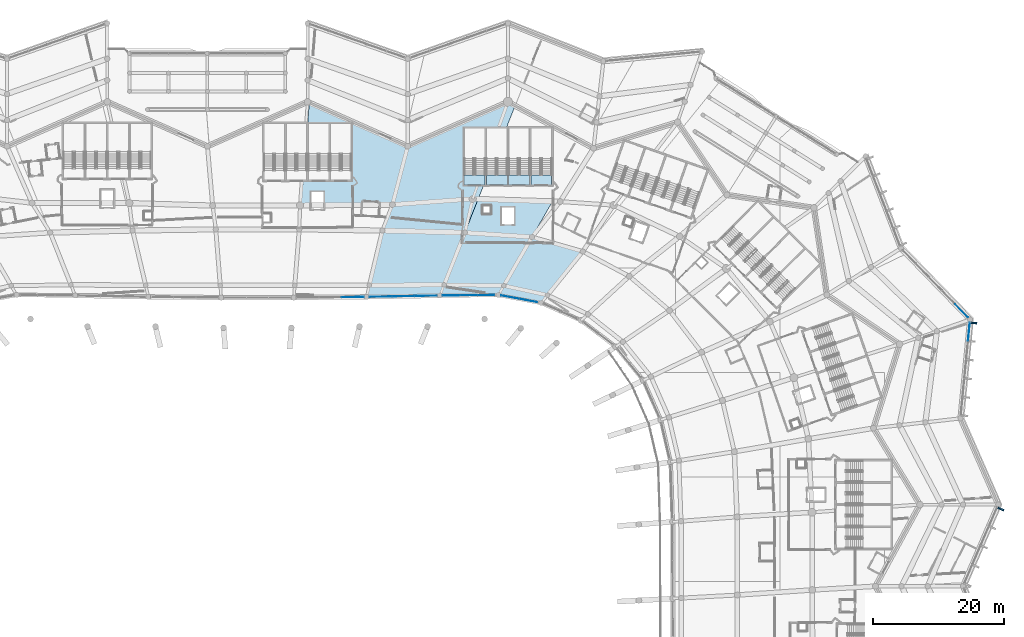
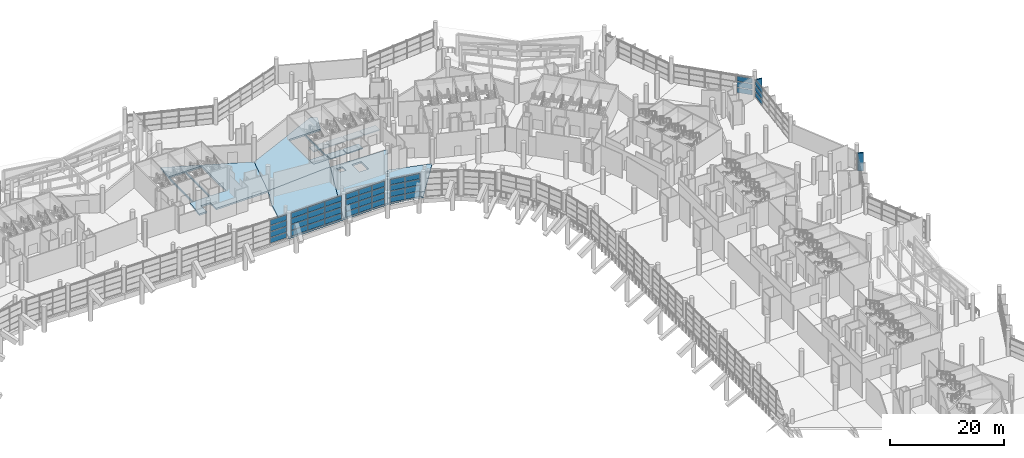
# One storey, part 152 of 271: 44 plates, 13 slabs, 10 elements without a shape of their own.
"""IFC4 building model written with IfcOpenShell, lengths in metres."""

from ifc_helpers import new_model, si_unit, direction, frame, origin, origin_2d, place, context, subcontext, project, spatial, polyline, rectangle, outline, extrude, material, layer, layer_set, type_object, element, aggregate, save


model = new_model("IFC4")

# Units and contexts
model_context = context("Model", 3, precision=1e-05, world=origin(), true_north=direction((0.0, 1.0)))
body_context = subcontext(model_context, "Body", "Model", "MODEL_VIEW")
ifc_project = project(units=[si_unit("LENGTHUNIT", "METRE"), si_unit("AREAUNIT", "SQUARE_METRE"), si_unit("VOLUMEUNIT", "CUBIC_METRE"), si_unit("PLANEANGLEUNIT", "RADIAN"), si_unit("MASSUNIT", "GRAM", prefix="KILO")], contexts=[model_context])

# Site, building, storey
site_placement = place(None, origin())
site = spatial("IfcSite", under=ifc_project, at=site_placement, CompositionType="ELEMENT")
building_placement = place(site_placement, origin())
building = spatial("IfcBuilding", under=site, at=building_placement, Name="Meseta Stadium", CompositionType="ELEMENT")
storey_placement = place(building_placement, frame((0.0, 0.0, 6.5)))
storey = spatial("IfcBuildingStorey", under=building, at=storey_placement, Name="L01", CompositionType="ELEMENT", Elevation=6.5)

# Curtain wall, plates
ifc_material_1 = material(Name="Aluminium", Category="aluminium")
ifc_layer_1 = layer(ifc_material_1, 0.199951171875)
ifc_layer_set_1 = layer_set([ifc_layer_1], Name="Club glazing curtain wall")
curtain_wall_type_1 = type_object("IfcCurtainWallType", Name="Club glazing curtain wall", PredefinedType="NOTDEFINED", material=ifc_layer_set_1)
curtain_wall_1_placement = place(storey_placement, origin())
curtain_wall_1 = element("IfcCurtainWall", 1, at=curtain_wall_1_placement, inside=storey, type_object=curtain_wall_type_1, Name="Club glazing bay 14", PredefinedType="NOTDEFINED")
ifc_material_2 = material(Name="Glass", Category="glass")
ifc_layer_2 = layer(ifc_material_2, 0.028076171875)
ifc_layer_set_2 = layer_set([ifc_layer_2], Name="CW glass panel 28")
plate_type_1 = type_object("IfcPlateType", Name="CW glass panel 28", PredefinedType="CURTAIN_PANEL", material=ifc_layer_set_2)
plate_1_placement = place(storey_placement, frame((41.476318359375, 74.98046875, 0.1201171875), z_axis=(0.0, 0.0, 1.0), x_axis=(-0.983187225977, 0.182600324962, 0.0)))
plate_1 = element("IfcPlate", 2, at=plate_1_placement, type_object=plate_type_1, Name="CWC panel 1.1", PredefinedType="CURTAIN_PANEL", context=body_context, shape_type="SweptSolid", body=[
    extrude(rectangle(XDim=2.76611328125, YDim=0.028076171875, at=origin_2d()), origin(), (0.0, 0.0, 1.0), 1.107421875),
])
plate_2_placement = place(storey_placement, frame((41.476318359375, 74.98046875, 1.347412109375), z_axis=(0.0, 0.0, 1.0), x_axis=(-0.983187225977, 0.182600324962, 0.0)))
plate_2 = element("IfcPlate", 3, at=plate_2_placement, type_object=plate_type_1, Name="CWC panel 1.2", PredefinedType="CURTAIN_PANEL", context=body_context, shape_type="SweptSolid", body=[
    extrude(rectangle(XDim=2.76611328125, YDim=0.028076171875, at=origin_2d()), origin(), (0.0, 0.0, 1.0), 1.16748046875),
])
plate_3_placement = place(storey_placement, frame((41.476318359375, 74.98046875, 2.635009765625), z_axis=(0.0, 0.0, 1.0), x_axis=(-0.983187225977, 0.182600324962, 0.0)))
plate_3 = element("IfcPlate", 4, at=plate_3_placement, type_object=plate_type_1, Name="CWC panel 1.3", PredefinedType="CURTAIN_PANEL", context=body_context, shape_type="SweptSolid", body=[
    extrude(rectangle(XDim=2.76611328125, YDim=0.028076171875, at=origin_2d()), origin(), (0.0, 0.0, 1.0), 1.16748046875),
])
plate_4_placement = place(storey_placement, frame((41.476318359375, 74.98046875, 3.922607421875), z_axis=(0.0, 0.0, 1.0), x_axis=(-0.983187225977, 0.182600324962, 0.0)))
plate_4 = element("IfcPlate", 5, at=plate_4_placement, type_object=plate_type_1, Name="CWC panel 1.4", PredefinedType="CURTAIN_PANEL", context=body_context, shape_type="SweptSolid", body=[
    extrude(rectangle(XDim=2.76611328125, YDim=0.028076171875, at=origin_2d()), origin(), (0.0, 0.0, 1.0), 1.107421875),
])
plate_5_placement = place(storey_placement, frame((38.69775390625, 75.496337890625, 0.1201171875), z_axis=(0.0, 0.0, 1.0), x_axis=(-0.983187225977, 0.182600324962, 0.0)))
plate_5 = element("IfcPlate", 6, at=plate_5_placement, type_object=plate_type_1, Name="CWC panel 2.1", PredefinedType="CURTAIN_PANEL", context=body_context, shape_type="SweptSolid", body=[
    extrude(rectangle(XDim=2.76611328125, YDim=0.028076171875, at=origin_2d()), origin(), (0.0, 0.0, 1.0), 1.107421875),
])
plate_6_placement = place(storey_placement, frame((38.69775390625, 75.496337890625, 1.347412109375), z_axis=(0.0, 0.0, 1.0), x_axis=(-0.983187225977, 0.182600324962, 0.0)))
plate_6 = element("IfcPlate", 7, at=plate_6_placement, type_object=plate_type_1, Name="CWC panel 2.2", PredefinedType="CURTAIN_PANEL", context=body_context, shape_type="SweptSolid", body=[
    extrude(rectangle(XDim=2.76611328125, YDim=0.028076171875, at=origin_2d()), origin(), (0.0, 0.0, 1.0), 1.16748046875),
])
plate_7_placement = place(storey_placement, frame((38.69775390625, 75.496337890625, 2.635009765625), z_axis=(0.0, 0.0, 1.0), x_axis=(-0.983187225977, 0.182600324962, 0.0)))
plate_7 = element("IfcPlate", 8, at=plate_7_placement, type_object=plate_type_1, Name="CWC panel 2.3", PredefinedType="CURTAIN_PANEL", context=body_context, shape_type="SweptSolid", body=[
    extrude(rectangle(XDim=2.76611328125, YDim=0.028076171875, at=origin_2d()), origin(), (0.0, 0.0, 1.0), 1.16748046875),
])
plate_8_placement = place(storey_placement, frame((38.69775390625, 75.496337890625, 3.922607421875), z_axis=(0.0, 0.0, 1.0), x_axis=(-0.983187225977, 0.182600324962, 0.0)))
plate_8 = element("IfcPlate", 9, at=plate_8_placement, type_object=plate_type_1, Name="CWC panel 2.4", PredefinedType="CURTAIN_PANEL", context=body_context, shape_type="SweptSolid", body=[
    extrude(rectangle(XDim=2.76611328125, YDim=0.028076171875, at=origin_2d()), origin(), (0.0, 0.0, 1.0), 1.107421875),
])
aggregate(curtain_wall_1, [plate_1, plate_2, plate_3, plate_4, plate_5, plate_6, plate_7, plate_8])

curtain_wall_2_placement = place(storey_placement, origin())
curtain_wall_2 = element("IfcCurtainWall", 10, at=curtain_wall_2_placement, inside=storey, type_object=curtain_wall_type_1, Name="Club glazing bay 15", PredefinedType="NOTDEFINED")
plate_9_placement = place(storey_placement, frame((34.977783203125, 75.812255859375, 0.1201171875), z_axis=(0.0, 0.0, 1.0), x_axis=(-0.999941218201, -0.010842515481, 0.0)))
plate_9 = element("IfcPlate", 11, at=plate_9_placement, type_object=plate_type_1, Name="CWC panel 1.1", PredefinedType="CURTAIN_PANEL", context=body_context, shape_type="SweptSolid", body=[
    extrude(rectangle(XDim=2.5830078125, YDim=0.028076171875, at=origin_2d()), origin(), (0.0, 0.0, 1.0), 1.107421875),
])
plate_10_placement = place(storey_placement, frame((34.977783203125, 75.812255859375, 1.347412109375), z_axis=(0.0, 0.0, 1.0), x_axis=(-0.999941218201, -0.010842515481, 0.0)))
plate_10 = element("IfcPlate", 12, at=plate_10_placement, type_object=plate_type_1, Name="CWC panel 1.2", PredefinedType="CURTAIN_PANEL", context=body_context, shape_type="SweptSolid", body=[
    extrude(rectangle(XDim=2.5830078125, YDim=0.028076171875, at=origin_2d()), origin(), (0.0, 0.0, 1.0), 1.16748046875),
])
plate_11_placement = place(storey_placement, frame((34.977783203125, 75.812255859375, 2.635009765625), z_axis=(0.0, 0.0, 1.0), x_axis=(-0.999941218201, -0.010842515481, 0.0)))
plate_11 = element("IfcPlate", 13, at=plate_11_placement, type_object=plate_type_1, Name="CWC panel 1.3", PredefinedType="CURTAIN_PANEL", context=body_context, shape_type="SweptSolid", body=[
    extrude(rectangle(XDim=2.5830078125, YDim=0.028076171875, at=origin_2d()), origin(), (0.0, 0.0, 1.0), 1.16748046875),
])
plate_12_placement = place(storey_placement, frame((34.977783203125, 75.812255859375, 3.922607421875), z_axis=(0.0, 0.0, 1.0), x_axis=(-0.999941218201, -0.010842515481, 0.0)))
plate_12 = element("IfcPlate", 14, at=plate_12_placement, type_object=plate_type_1, Name="CWC panel 1.4", PredefinedType="CURTAIN_PANEL", context=body_context, shape_type="SweptSolid", body=[
    extrude(rectangle(XDim=2.5830078125, YDim=0.028076171875, at=origin_2d()), origin(), (0.0, 0.0, 1.0), 1.107421875),
])
plate_13_placement = place(storey_placement, frame((32.320068359375, 75.783447265625, 0.1201171875), z_axis=(0.0, 0.0, 1.0), x_axis=(-0.999941218201, -0.010842515481, 0.0)))
plate_13 = element("IfcPlate", 15, at=plate_13_placement, type_object=plate_type_1, Name="CWC panel 2.1", PredefinedType="CURTAIN_PANEL", context=body_context, shape_type="SweptSolid", body=[
    extrude(rectangle(XDim=2.613037109375, YDim=0.028076171875, at=origin_2d()), origin(), (0.0, 0.0, 1.0), 1.107421875),
])
plate_14_placement = place(storey_placement, frame((32.320068359375, 75.783447265625, 1.347412109375), z_axis=(0.0, 0.0, 1.0), x_axis=(-0.999941218201, -0.010842515481, 0.0)))
plate_14 = element("IfcPlate", 16, at=plate_14_placement, type_object=plate_type_1, Name="CWC panel 2.2", PredefinedType="CURTAIN_PANEL", context=body_context, shape_type="SweptSolid", body=[
    extrude(rectangle(XDim=2.613037109375, YDim=0.028076171875, at=origin_2d()), origin(), (0.0, 0.0, 1.0), 1.16748046875),
])
plate_15_placement = place(storey_placement, frame((32.320068359375, 75.783447265625, 2.635009765625), z_axis=(0.0, 0.0, 1.0), x_axis=(-0.999941218201, -0.010842515481, 0.0)))
plate_15 = element("IfcPlate", 17, at=plate_15_placement, type_object=plate_type_1, Name="CWC panel 2.3", PredefinedType="CURTAIN_PANEL", context=body_context, shape_type="SweptSolid", body=[
    extrude(rectangle(XDim=2.613037109375, YDim=0.028076171875, at=origin_2d()), origin(), (0.0, 0.0, 1.0), 1.16748046875),
])
plate_16_placement = place(storey_placement, frame((32.320068359375, 75.783447265625, 3.922607421875), z_axis=(0.0, 0.0, 1.0), x_axis=(-0.999941218201, -0.010842515481, 0.0)))
plate_16 = element("IfcPlate", 18, at=plate_16_placement, type_object=plate_type_1, Name="CWC panel 2.4", PredefinedType="CURTAIN_PANEL", context=body_context, shape_type="SweptSolid", body=[
    extrude(rectangle(XDim=2.613037109375, YDim=0.028076171875, at=origin_2d()), origin(), (0.0, 0.0, 1.0), 1.107421875),
])
plate_17_placement = place(storey_placement, frame((29.662109375, 75.754638671875, 0.1201171875), z_axis=(0.0, 0.0, 1.0), x_axis=(-0.999941218201, -0.010842515481, 0.0)))
plate_17 = element("IfcPlate", 19, at=plate_17_placement, type_object=plate_type_1, Name="CWC panel 3.1", PredefinedType="CURTAIN_PANEL", context=body_context, shape_type="SweptSolid", body=[
    extrude(rectangle(XDim=2.5830078125, YDim=0.028076171875, at=origin_2d()), origin(), (0.0, 0.0, 1.0), 1.107421875),
])
plate_18_placement = place(storey_placement, frame((29.662109375, 75.754638671875, 1.347412109375), z_axis=(0.0, 0.0, 1.0), x_axis=(-0.999941218201, -0.010842515481, 0.0)))
plate_18 = element("IfcPlate", 20, at=plate_18_placement, type_object=plate_type_1, Name="CWC panel 3.2", PredefinedType="CURTAIN_PANEL", context=body_context, shape_type="SweptSolid", body=[
    extrude(rectangle(XDim=2.5830078125, YDim=0.028076171875, at=origin_2d()), origin(), (0.0, 0.0, 1.0), 1.16748046875),
])
plate_19_placement = place(storey_placement, frame((29.662109375, 75.754638671875, 2.635009765625), z_axis=(0.0, 0.0, 1.0), x_axis=(-0.999941218201, -0.010842515481, 0.0)))
plate_19 = element("IfcPlate", 21, at=plate_19_placement, type_object=plate_type_1, Name="CWC panel 3.3", PredefinedType="CURTAIN_PANEL", context=body_context, shape_type="SweptSolid", body=[
    extrude(rectangle(XDim=2.5830078125, YDim=0.028076171875, at=origin_2d()), origin(), (0.0, 0.0, 1.0), 1.16748046875),
])
plate_20_placement = place(storey_placement, frame((29.662109375, 75.754638671875, 3.922607421875), z_axis=(0.0, 0.0, 1.0), x_axis=(-0.999941218201, -0.010842515481, 0.0)))
plate_20 = element("IfcPlate", 22, at=plate_20_placement, type_object=plate_type_1, Name="CWC panel 3.4", PredefinedType="CURTAIN_PANEL", context=body_context, shape_type="SweptSolid", body=[
    extrude(rectangle(XDim=2.5830078125, YDim=0.028076171875, at=origin_2d()), origin(), (0.0, 0.0, 1.0), 1.107421875),
])
aggregate(curtain_wall_2, [plate_9, plate_10, plate_11, plate_12, plate_13, plate_14, plate_15, plate_16, plate_17, plate_18, plate_19, plate_20])

curtain_wall_3_placement = place(storey_placement, origin())
curtain_wall_3 = element("IfcCurtainWall", 23, at=curtain_wall_3_placement, inside=storey, type_object=curtain_wall_type_1, Name="Club glazing bay 16", PredefinedType="NOTDEFINED")
plate_21_placement = place(storey_placement, frame((25.7607421875, 75.696044921875, 0.1201171875), z_axis=(0.0, 0.0, 1.0), x_axis=(-0.99983100259, -0.018383858671, 0.0)))
plate_21 = element("IfcPlate", 24, at=plate_21_placement, type_object=plate_type_1, Name="CWC panel 1.1", PredefinedType="CURTAIN_PANEL", context=body_context, shape_type="SweptSolid", body=[
    extrude(rectangle(XDim=3.382080078125, YDim=0.028076171875, at=origin_2d()), origin(), (0.0, 0.0, 1.0), 1.107421875),
])
plate_22_placement = place(storey_placement, frame((25.7607421875, 75.696044921875, 1.347412109375), z_axis=(0.0, 0.0, 1.0), x_axis=(-0.99983100259, -0.018383858671, 0.0)))
plate_22 = element("IfcPlate", 25, at=plate_22_placement, type_object=plate_type_1, Name="CWC panel 1.2", PredefinedType="CURTAIN_PANEL", context=body_context, shape_type="SweptSolid", body=[
    extrude(rectangle(XDim=3.382080078125, YDim=0.028076171875, at=origin_2d()), origin(), (0.0, 0.0, 1.0), 1.16748046875),
])
plate_23_placement = place(storey_placement, frame((25.7607421875, 75.696044921875, 2.635009765625), z_axis=(0.0, 0.0, 1.0), x_axis=(-0.99983100259, -0.018383858671, 0.0)))
plate_23 = element("IfcPlate", 26, at=plate_23_placement, type_object=plate_type_1, Name="CWC panel 1.3", PredefinedType="CURTAIN_PANEL", context=body_context, shape_type="SweptSolid", body=[
    extrude(rectangle(XDim=3.382080078125, YDim=0.028076171875, at=origin_2d()), origin(), (0.0, 0.0, 1.0), 1.16748046875),
])
plate_24_placement = place(storey_placement, frame((25.7607421875, 75.696044921875, 3.922607421875), z_axis=(0.0, 0.0, 1.0), x_axis=(-0.99983100259, -0.018383858671, 0.0)))
plate_24 = element("IfcPlate", 27, at=plate_24_placement, type_object=plate_type_1, Name="CWC panel 1.4", PredefinedType="CURTAIN_PANEL", context=body_context, shape_type="SweptSolid", body=[
    extrude(rectangle(XDim=3.382080078125, YDim=0.028076171875, at=origin_2d()), origin(), (0.0, 0.0, 1.0), 1.107421875),
])
plate_25_placement = place(storey_placement, frame((22.30419921875, 75.632568359375, 0.1201171875), z_axis=(0.0, 0.0, 1.0), x_axis=(-0.99983100259, -0.018383858671, 0.0)))
plate_25 = element("IfcPlate", 28, at=plate_25_placement, type_object=plate_type_1, Name="CWC panel 2.1", PredefinedType="CURTAIN_PANEL", context=body_context, shape_type="SweptSolid", body=[
    extrude(rectangle(XDim=3.411865234375, YDim=0.028076171875, at=origin_2d()), origin(), (0.0, 0.0, 1.0), 1.107421875),
])
plate_26_placement = place(storey_placement, frame((22.30419921875, 75.632568359375, 1.347412109375), z_axis=(0.0, 0.0, 1.0), x_axis=(-0.99983100259, -0.018383858671, 0.0)))
plate_26 = element("IfcPlate", 29, at=plate_26_placement, type_object=plate_type_1, Name="CWC panel 2.2", PredefinedType="CURTAIN_PANEL", context=body_context, shape_type="SweptSolid", body=[
    extrude(rectangle(XDim=3.411865234375, YDim=0.028076171875, at=origin_2d()), origin(), (0.0, 0.0, 1.0), 1.16748046875),
])
plate_27_placement = place(storey_placement, frame((22.30419921875, 75.632568359375, 2.635009765625), z_axis=(0.0, 0.0, 1.0), x_axis=(-0.99983100259, -0.018383858671, 0.0)))
plate_27 = element("IfcPlate", 30, at=plate_27_placement, type_object=plate_type_1, Name="CWC panel 2.3", PredefinedType="CURTAIN_PANEL", context=body_context, shape_type="SweptSolid", body=[
    extrude(rectangle(XDim=3.411865234375, YDim=0.028076171875, at=origin_2d()), origin(), (0.0, 0.0, 1.0), 1.16748046875),
])
plate_28_placement = place(storey_placement, frame((22.30419921875, 75.632568359375, 3.922607421875), z_axis=(0.0, 0.0, 1.0), x_axis=(-0.99983100259, -0.018383858671, 0.0)))
plate_28 = element("IfcPlate", 31, at=plate_28_placement, type_object=plate_type_1, Name="CWC panel 2.4", PredefinedType="CURTAIN_PANEL", context=body_context, shape_type="SweptSolid", body=[
    extrude(rectangle(XDim=3.411865234375, YDim=0.028076171875, at=origin_2d()), origin(), (0.0, 0.0, 1.0), 1.107421875),
])
plate_29_placement = place(storey_placement, frame((18.847900390625, 75.569091796875, 0.1201171875), z_axis=(0.0, 0.0, 1.0), x_axis=(-0.99983100259, -0.018383858671, 0.0)))
plate_29 = element("IfcPlate", 32, at=plate_29_placement, type_object=plate_type_1, Name="CWC panel 3.1", PredefinedType="CURTAIN_PANEL", context=body_context, shape_type="SweptSolid", body=[
    extrude(rectangle(XDim=3.382080078125, YDim=0.028076171875, at=origin_2d()), origin(), (0.0, 0.0, 1.0), 1.107421875),
])
plate_30_placement = place(storey_placement, frame((18.847900390625, 75.569091796875, 1.347412109375), z_axis=(0.0, 0.0, 1.0), x_axis=(-0.99983100259, -0.018383858671, 0.0)))
plate_30 = element("IfcPlate", 33, at=plate_30_placement, type_object=plate_type_1, Name="CWC panel 3.2", PredefinedType="CURTAIN_PANEL", context=body_context, shape_type="SweptSolid", body=[
    extrude(rectangle(XDim=3.382080078125, YDim=0.028076171875, at=origin_2d()), origin(), (0.0, 0.0, 1.0), 1.16748046875),
])
plate_31_placement = place(storey_placement, frame((18.847900390625, 75.569091796875, 2.635009765625), z_axis=(0.0, 0.0, 1.0), x_axis=(-0.99983100259, -0.018383858671, 0.0)))
plate_31 = element("IfcPlate", 34, at=plate_31_placement, type_object=plate_type_1, Name="CWC panel 3.3", PredefinedType="CURTAIN_PANEL", context=body_context, shape_type="SweptSolid", body=[
    extrude(rectangle(XDim=3.382080078125, YDim=0.028076171875, at=origin_2d()), origin(), (0.0, 0.0, 1.0), 1.16748046875),
])
plate_32_placement = place(storey_placement, frame((18.847900390625, 75.569091796875, 3.922607421875), z_axis=(0.0, 0.0, 1.0), x_axis=(-0.99983100259, -0.018383858671, 0.0)))
plate_32 = element("IfcPlate", 35, at=plate_32_placement, type_object=plate_type_1, Name="CWC panel 3.4", PredefinedType="CURTAIN_PANEL", context=body_context, shape_type="SweptSolid", body=[
    extrude(rectangle(XDim=3.382080078125, YDim=0.028076171875, at=origin_2d()), origin(), (0.0, 0.0, 1.0), 1.107421875),
])
aggregate(curtain_wall_3, [plate_21, plate_22, plate_23, plate_24, plate_25, plate_26, plate_27, plate_28, plate_29, plate_30, plate_31, plate_32])

curtain_wall_4_placement = place(storey_placement, origin())
curtain_wall_4 = element("IfcCurtainWall", 36, at=curtain_wall_4_placement, inside=storey, type_object=curtain_wall_type_1, Name="Club glazing bay 17", PredefinedType="NOTDEFINED")
plate_33_placement = place(storey_placement, frame((14.55908203125, 75.507568359375, 0.1201171875), z_axis=(0.0, 0.0, 1.0), x_axis=(-0.999947169774, -0.010278991253, 0.0)))
plate_33 = element("IfcPlate", 37, at=plate_33_placement, type_object=plate_type_1, Name="CWC panel 1.1", PredefinedType="CURTAIN_PANEL", context=body_context, shape_type="SweptSolid", body=[
    extrude(rectangle(XDim=3.357177734375, YDim=0.028076171875, at=origin_2d()), origin(), (0.0, 0.0, 1.0), 1.107421875),
])
plate_34_placement = place(storey_placement, frame((14.55908203125, 75.507568359375, 1.347412109375), z_axis=(0.0, 0.0, 1.0), x_axis=(-0.999947169774, -0.010278991253, 0.0)))
plate_34 = element("IfcPlate", 38, at=plate_34_placement, type_object=plate_type_1, Name="CWC panel 1.2", PredefinedType="CURTAIN_PANEL", context=body_context, shape_type="SweptSolid", body=[
    extrude(rectangle(XDim=3.357177734375, YDim=0.028076171875, at=origin_2d()), origin(), (0.0, 0.0, 1.0), 1.16748046875),
])
plate_35_placement = place(storey_placement, frame((14.55908203125, 75.507568359375, 2.635009765625), z_axis=(0.0, 0.0, 1.0), x_axis=(-0.999947169774, -0.010278991253, 0.0)))
plate_35 = element("IfcPlate", 39, at=plate_35_placement, type_object=plate_type_1, Name="CWC panel 1.3", PredefinedType="CURTAIN_PANEL", context=body_context, shape_type="SweptSolid", body=[
    extrude(rectangle(XDim=3.357177734375, YDim=0.028076171875, at=origin_2d()), origin(), (0.0, 0.0, 1.0), 1.16748046875),
])
plate_36_placement = place(storey_placement, frame((14.55908203125, 75.507568359375, 3.922607421875), z_axis=(0.0, 0.0, 1.0), x_axis=(-0.999947169774, -0.010278991253, 0.0)))
plate_36 = element("IfcPlate", 40, at=plate_36_placement, type_object=plate_type_1, Name="CWC panel 1.4", PredefinedType="CURTAIN_PANEL", context=body_context, shape_type="SweptSolid", body=[
    extrude(rectangle(XDim=3.357177734375, YDim=0.028076171875, at=origin_2d()), origin(), (0.0, 0.0, 1.0), 1.107421875),
])
aggregate(curtain_wall_4, [plate_33, plate_34, plate_35, plate_36])

# Slabs
ifc_material_3 = material(Name="Concrete C40/50", Category="concrete")
ifc_layer_3 = layer(ifc_material_3, 0.35009765625)
ifc_layer_set_3 = layer_set([ifc_layer_3], Name="Floor slab 350")
slab_type_1 = type_object("IfcSlabType", Name="Floor slab 350", PredefinedType="FLOOR", material=ifc_layer_set_3)
slab_1_placement = place(storey_placement, frame((0.0, 0.0, -0.35009765625)))
element("IfcSlab", 41, at=slab_1_placement, inside=storey, type_object=slab_type_1, Name="Floor slab L01 sector 14 panel 08", PredefinedType="FLOOR", context=body_context, shape_type="SweptSolid", body=[
    extrude(outline(polyline([(10.11669921875, 91.60009765625), (10.11669921875, 89.574462890625), (20.649658203125, 89.65625), (23.0, 98.60009765625), (7.92724609375, 105.284423828125), (7.566650390625, 100.740478515625), (7.566650390625, 93.39990234375), (6.984130859375, 93.39990234375), (6.678466796875, 89.547607421875), (8.216796875, 89.5595703125), (8.216796875, 91.60009765625), (10.11669921875, 91.60009765625)]), holes=[polyline([(10.966796875, 102.10009765625), (10.966796875, 93.39990234375), (7.7666015625, 93.39990234375), (7.7666015625, 102.10009765625), (10.966796875, 102.10009765625)]), polyline([(14.36669921875, 102.10009765625), (14.36669921875, 93.39990234375), (11.166748046875, 93.39990234375), (11.166748046875, 102.10009765625), (14.36669921875, 102.10009765625)])]), origin(), (0.0, 0.0, 1.0), 0.35009765625),
])
slab_2_placement = place(storey_placement, frame((0.0, 0.0, -0.35009765625)))
element("IfcSlab", 42, at=slab_2_placement, inside=storey, type_object=slab_type_1, Name="Floor slab L01 sector 14 panel 09", PredefinedType="FLOOR", context=body_context, shape_type="SweptSolid", body=[
    extrude(outline(polyline([(33.779541015625, 90.524658203125), (32.944091796875, 90.551025390625), (20.649658203125, 89.65625), (19.11865234375, 85.6982421875), (16.697509765625, 75.529296875), (18.560302734375, 75.558349609375), (20.425537109375, 75.589599609375), (22.293212890625, 75.623046875), (24.1630859375, 75.65869140625), (26.03564453125, 75.6962890625), (27.910888671875, 75.735595703125), (33.779541015625, 90.524658203125)])), origin(), (0.0, 0.0, 1.0), 0.35009765625),
])
slab_3_placement = place(storey_placement, frame((0.0, 0.0, -0.35009765625)))
element("IfcSlab", 43, at=slab_3_placement, inside=storey, type_object=slab_type_1, Name="Floor slab L01 sector 14 panel 10", PredefinedType="FLOOR", context=body_context, shape_type="SweptSolid", body=[
    extrude(outline(polyline([(38.09521484375, 101.39990234375), (39.443603515625, 104.798095703125), (38.333251953125, 105.39990234375), (23.0, 98.60009765625), (20.649658203125, 89.65625), (32.944091796875, 90.551025390625), (33.779541015625, 90.524658203125), (34.642822265625, 92.699951171875), (31.63330078125, 92.699951171875), (31.63330078125, 101.39990234375), (34.833251953125, 101.39990234375), (34.833251953125, 93.179931640625), (35.033203125, 93.683837890625), (35.033203125, 101.39990234375), (38.09521484375, 101.39990234375)])), origin(), (0.0, 0.0, 1.0), 0.35009765625),
])
slab_4_placement = place(storey_placement, frame((0.0, 0.0, -0.35009765625)))
element("IfcSlab", 44, at=slab_4_placement, inside=storey, type_object=slab_type_1, Name="Floor slab L01 sector 14 panel 11", PredefinedType="FLOOR", context=body_context, shape_type="SweptSolid", body=[
    extrude(outline(polyline([(33.779541015625, 90.524658203125), (27.910888671875, 75.735595703125), (29.7890625, 75.776611328125), (33.553466796875, 75.8623046875), (34.664306640625, 75.895751953125), (35.775634765625, 75.885986328125), (36.8857421875, 75.8330078125), (45.169189453125, 90.1630859375), (33.779541015625, 90.524658203125)]), holes=[polyline([(37.38330078125, 89.251220703125), (39.283203125, 89.251220703125), (39.283203125, 86.651123046875), (37.38330078125, 86.651123046875), (37.38330078125, 89.251220703125)]), polyline([(35.683349609375, 88.301025390625), (34.4833984375, 88.301025390625), (34.4833984375, 89.501220703125), (35.683349609375, 89.501220703125), (35.683349609375, 88.301025390625)])]), origin(), (0.0, 0.0, 1.0), 0.35009765625),
])
slab_5_placement = place(storey_placement, frame((0.0, 0.0, -0.35009765625)))
element("IfcSlab", 45, at=slab_5_placement, inside=storey, type_object=slab_type_1, Name="Floor slab L01 sector 14 panel 12", PredefinedType="FLOOR", context=body_context, shape_type="SweptSolid", body=[
    extrude(outline(polyline([(42.362060546875, 74.925537109375), (43.420166015625, 74.62060546875), (44.379150390625, 75.808837890625), (37.711669921875, 77.26171875), (36.885986328125, 75.8330078125), (37.993408203125, 75.73681640625), (39.096435546875, 75.597900390625), (40.193359375, 75.416015625), (41.282470703125, 75.19189453125), (42.362060546875, 74.925537109375)])), origin(), (0.0, 0.0, 1.0), 0.35009765625),
])
slab_6_placement = place(storey_placement, frame((0.0, 0.0, -0.35009765625)))
element("IfcSlab", 46, at=slab_6_placement, inside=storey, type_object=slab_type_1, Name="Floor slab L01 sector 14 panel 13", PredefinedType="FLOOR", context=body_context, shape_type="SweptSolid", body=[
    extrude(outline(polyline([(37.711669921875, 77.26171875), (44.37939453125, 75.80908203125), (49.78076171875, 82.501708984375), (42.015380859375, 84.707275390625), (37.711669921875, 77.26171875)])), origin(), (0.0, 0.0, 1.0), 0.35009765625),
])

# Curtain wall, plates
ifc_material_4 = material(Name="Aluminium", Category="aluminium")
ifc_layer_4 = layer(ifc_material_4, 0.199951171875)
ifc_layer_set_4 = layer_set([ifc_layer_4], Name="Ring shopfront curtain wall")
curtain_wall_type_2 = type_object("IfcCurtainWallType", Name="Ring shopfront curtain wall", PredefinedType="NOTDEFINED", material=ifc_layer_set_4)
curtain_wall_5_placement = place(storey_placement, origin())
curtain_wall_5 = element("IfcCurtainWall", 47, at=curtain_wall_5_placement, inside=storey, type_object=curtain_wall_type_2, Name="Ring glazing L01 F09", PredefinedType="NOTDEFINED")
ifc_material_5 = material(Name="Glass", Category="glass")
ifc_layer_5 = layer(ifc_material_5, 0.035888671875)
ifc_layer_set_5 = layer_set([ifc_layer_5], Name="Ring CW glass panel 36")
plate_type_2 = type_object("IfcPlateType", Name="Ring CW glass panel 36", PredefinedType="CURTAIN_PANEL", material=ifc_layer_set_5)
plate_37_placement = place(storey_placement, frame((108.90673828125, 70.228271484375, 0.14990234375), z_axis=(0.0, 0.0, 1.0), x_axis=(0.097124618973, 0.995272228282, 0.0)))
plate_37 = element("IfcPlate", 48, at=plate_37_placement, type_object=plate_type_2, Name="CWR1 panel 5.1", PredefinedType="CURTAIN_PANEL", context=body_context, shape_type="SweptSolid", body=[
    extrude(rectangle(XDim=2.791015625, YDim=0.035888671875, at=origin_2d()), origin(), (0.0, 0.0, 1.0), 1.058349609375),
])
plate_38_placement = place(storey_placement, frame((108.90673828125, 70.228271484375, 1.3583984375), z_axis=(0.0, 0.0, 1.0), x_axis=(0.097124618973, 0.995272228282, 0.0)))
plate_38 = element("IfcPlate", 49, at=plate_38_placement, type_object=plate_type_2, Name="CWR1 panel 5.2", PredefinedType="CURTAIN_PANEL", context=body_context, shape_type="SweptSolid", body=[
    extrude(rectangle(XDim=2.791015625, YDim=0.035888671875, at=origin_2d()), origin(), (0.0, 0.0, 1.0), 1.13330078125),
])
plate_39_placement = place(storey_placement, frame((108.90673828125, 70.228271484375, 2.6416015625), z_axis=(0.0, 0.0, 1.0), x_axis=(0.097124618973, 0.995272228282, 0.0)))
plate_39 = element("IfcPlate", 50, at=plate_39_placement, type_object=plate_type_2, Name="CWR1 panel 5.3", PredefinedType="CURTAIN_PANEL", context=body_context, shape_type="SweptSolid", body=[
    extrude(rectangle(XDim=2.791015625, YDim=0.035888671875, at=origin_2d()), origin(), (0.0, 0.0, 1.0), 1.058349609375),
])
aggregate(curtain_wall_5, [plate_37, plate_38, plate_39])

curtain_wall_6_placement = place(storey_placement, origin())
curtain_wall_6 = element("IfcCurtainWall", 51, at=curtain_wall_6_placement, inside=storey, type_object=curtain_wall_type_2, Name="Ring glazing L01 F10", PredefinedType="NOTDEFINED")
plate_40_placement = place(storey_placement, frame((107.794677734375, 73.406494140625, 0.14990234375), z_axis=(0.0, 0.0, 1.0), x_axis=(-0.6964727488, 0.717583242683, 0.0)))
plate_40 = element("IfcPlate", 52, at=plate_40_placement, type_object=plate_type_2, Name="CWR1 panel 1.1", PredefinedType="CURTAIN_PANEL", context=body_context, shape_type="SweptSolid", body=[
    extrude(rectangle(XDim=2.791015625, YDim=0.035888671875, at=origin_2d()), origin(), (0.0, 0.0, 1.0), 1.058349609375),
])
plate_41_placement = place(storey_placement, frame((107.794677734375, 73.406494140625, 1.3583984375), z_axis=(0.0, 0.0, 1.0), x_axis=(-0.6964727488, 0.717583242683, 0.0)))
plate_41 = element("IfcPlate", 53, at=plate_41_placement, type_object=plate_type_2, Name="CWR1 panel 1.2", PredefinedType="CURTAIN_PANEL", context=body_context, shape_type="SweptSolid", body=[
    extrude(rectangle(XDim=2.791015625, YDim=0.035888671875, at=origin_2d()), origin(), (0.0, 0.0, 1.0), 1.13330078125),
])
plate_42_placement = place(storey_placement, frame((107.794677734375, 73.406494140625, 2.6416015625), z_axis=(0.0, 0.0, 1.0), x_axis=(-0.6964727488, 0.717583242683, 0.0)))
plate_42 = element("IfcPlate", 54, at=plate_42_placement, type_object=plate_type_2, Name="CWR1 panel 1.3", PredefinedType="CURTAIN_PANEL", context=body_context, shape_type="SweptSolid", body=[
    extrude(rectangle(XDim=2.791015625, YDim=0.035888671875, at=origin_2d()), origin(), (0.0, 0.0, 1.0), 1.058349609375),
])
aggregate(curtain_wall_6, [plate_40, plate_41, plate_42])

# Plates
ifc_material_6 = material(Name="Precast concrete C40/50", Category="concrete")
ifc_layer_6 = layer(ifc_material_6, 0.25)
ifc_layer_set_6 = layer_set([ifc_layer_6], Name="Ring brise-soleil fin 250x1000")
plate_type_3 = type_object("IfcPlateType", Name="Ring brise-soleil fin 250x1000", PredefinedType="USERDEFINED", material=ifc_layer_set_6)
for number, where, z_axis, x_axis, name in (
    (55, (113.762451171875, 43.075927734375, 0.0), (0.0, 0.0, 1.0), (0.396575976693, 0.918001903435, 0.0), "Brise-soleil fin L01 F07.5"),
    (56, (109.637939453125, 71.5439453125, 0.0), (0.0, 0.0, 1.0), (0.097122584472, 0.995272426819, 0.0), "Brise-soleil fin L01 F09.6"),
):
    element("IfcPlate", number, at=place(storey_placement, frame(where, z_axis=z_axis, x_axis=x_axis)), inside=storey, type_object=plate_type_3, Name=name, ObjectType="FIN", PredefinedType="USERDEFINED", context=body_context, shape_type="SweptSolid", body=[
        extrude(rectangle(XDim=0.25, YDim=1.0, at=origin_2d()), origin(), (0.0, 0.0, 1.0), 3.85009765625),
    ])

# Stair, slab
ifc_material_7 = material(Name="Concrete C40/50", Category="concrete")
stair_type = type_object("IfcStairType", Name="Exit stair 4 flights 153 mm risers", PredefinedType="HALF_TURN_STAIR", material=ifc_material_7)
stair_1_placement = place(storey_placement, origin())
stair_1 = element("IfcStair", 57, at=stair_1_placement, inside=storey, type_object=stair_type, Name="ST33 L01", PredefinedType="HALF_TURN_STAIR")
ifc_material_8 = material(Name="Concrete C40/50", Category="concrete")
ifc_layer_7 = layer(ifc_material_8, 0.199951171875)
ifc_layer_set_7 = layer_set([ifc_layer_7], Name="Stair landing 200")
slab_type_2 = type_object("IfcSlabType", Name="Stair landing 200", PredefinedType="LANDING", material=ifc_layer_set_7)
slab_7_placement = place(storey_placement, frame((0.0, 0.0, 2.550048828125)))
slab_7 = element("IfcSlab", 58, at=slab_7_placement, type_object=slab_type_2, Name="ST33 L01 landing 2", PredefinedType="LANDING", context=body_context, shape_type="SweptSolid", body=[
    extrude(outline(polyline([(45.033447265625, 92.699951171875), (45.033447265625, 94.2099609375), (41.833251953125, 94.2099609375), (41.833251953125, 92.699951171875), (45.033447265625, 92.699951171875)])), origin(), (0.0, 0.0, 1.0), 0.199951171875),
])
aggregate(stair_1, [slab_7])

# Stair, slabs
stair_2_placement = place(storey_placement, origin())
stair_2 = element("IfcStair", 59, at=stair_2_placement, inside=storey, type_object=stair_type, Name="ST34 L01", PredefinedType="HALF_TURN_STAIR")
slab_8_placement = place(storey_placement, frame((0.0, 0.0, 2.550048828125)))
slab_8 = element("IfcSlab", 60, at=slab_8_placement, type_object=slab_type_2, Name="ST34 L01 landing 2", PredefinedType="LANDING", context=body_context, shape_type="SweptSolid", body=[
    extrude(outline(polyline([(41.63330078125, 92.699951171875), (41.63330078125, 94.2099609375), (38.433349609375, 94.2099609375), (38.433349609375, 92.699951171875), (41.63330078125, 92.699951171875)])), origin(), (0.0, 0.0, 1.0), 0.199951171875),
])
slab_9_placement = place(storey_placement, frame((0.0, 0.0, -0.199951171875)))
slab_9 = element("IfcSlab", 61, at=slab_9_placement, type_object=slab_type_2, Name="ST34 L01 landing 4", PredefinedType="LANDING", context=body_context, shape_type="SweptSolid", body=[
    extrude(outline(polyline([(41.63330078125, 92.699951171875), (41.63330078125, 94.2099609375), (38.433349609375, 94.2099609375), (38.433349609375, 92.699951171875), (41.63330078125, 92.699951171875)])), origin(), (0.0, 0.0, 1.0), 0.199951171875),
])
aggregate(stair_2, [slab_8, slab_9])

stair_3_placement = place(storey_placement, origin())
stair_3 = element("IfcStair", 62, at=stair_3_placement, inside=storey, type_object=stair_type, Name="ST35 L01", PredefinedType="HALF_TURN_STAIR")
slab_10_placement = place(storey_placement, frame((0.0, 0.0, 2.550048828125)))
slab_10 = element("IfcSlab", 63, at=slab_10_placement, type_object=slab_type_2, Name="ST35 L01 landing 2", PredefinedType="LANDING", context=body_context, shape_type="SweptSolid", body=[
    extrude(outline(polyline([(38.2333984375, 92.699951171875), (38.2333984375, 94.2099609375), (35.033447265625, 94.2099609375), (35.033447265625, 92.699951171875), (38.2333984375, 92.699951171875)])), origin(), (0.0, 0.0, 1.0), 0.199951171875),
])
slab_11_placement = place(storey_placement, frame((0.0, 0.0, -0.199951171875)))
slab_11 = element("IfcSlab", 64, at=slab_11_placement, type_object=slab_type_2, Name="ST35 L01 landing 4", PredefinedType="LANDING", context=body_context, shape_type="SweptSolid", body=[
    extrude(outline(polyline([(38.2333984375, 92.699951171875), (38.2333984375, 94.2099609375), (35.033447265625, 94.2099609375), (35.033447265625, 92.699951171875), (38.2333984375, 92.699951171875)])), origin(), (0.0, 0.0, 1.0), 0.199951171875),
])
aggregate(stair_3, [slab_10, slab_11])

stair_4_placement = place(storey_placement, origin())
stair_4 = element("IfcStair", 65, at=stair_4_placement, inside=storey, type_object=stair_type, Name="ST36 L01", PredefinedType="HALF_TURN_STAIR")
slab_12_placement = place(storey_placement, frame((0.0, 0.0, 2.550048828125)))
slab_12 = element("IfcSlab", 66, at=slab_12_placement, type_object=slab_type_2, Name="ST36 L01 landing 2", PredefinedType="LANDING", context=body_context, shape_type="SweptSolid", body=[
    extrude(outline(polyline([(34.833251953125, 92.699951171875), (34.833251953125, 94.2099609375), (31.63330078125, 94.2099609375), (31.63330078125, 92.699951171875), (34.833251953125, 92.699951171875)])), origin(), (0.0, 0.0, 1.0), 0.199951171875),
])
slab_13_placement = place(storey_placement, frame((0.0, 0.0, -0.199951171875)))
slab_13 = element("IfcSlab", 67, at=slab_13_placement, type_object=slab_type_2, Name="ST36 L01 landing 4", PredefinedType="LANDING", context=body_context, shape_type="SweptSolid", body=[
    extrude(outline(polyline([(34.833251953125, 92.699951171875), (34.833251953125, 94.2099609375), (31.63330078125, 94.2099609375), (31.63330078125, 92.699951171875), (34.833251953125, 92.699951171875)])), origin(), (0.0, 0.0, 1.0), 0.199951171875),
])
aggregate(stair_4, [slab_12, slab_13])

save(model, "model.ifc")
